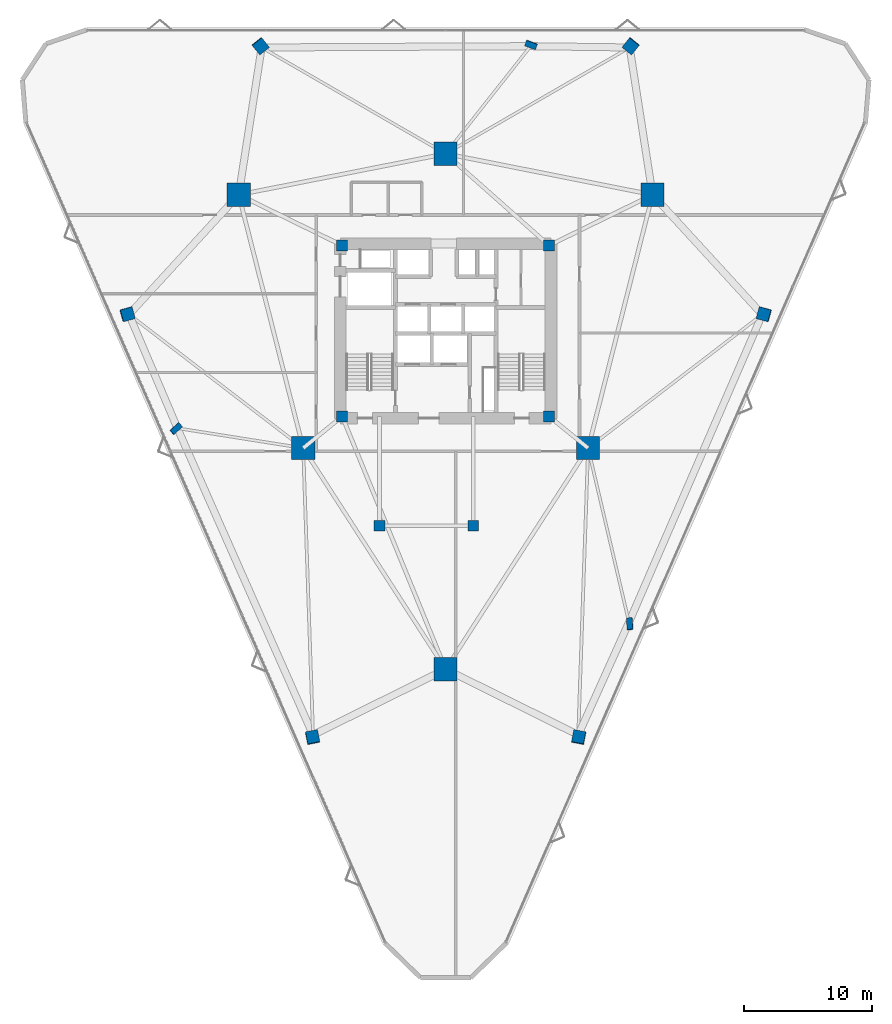
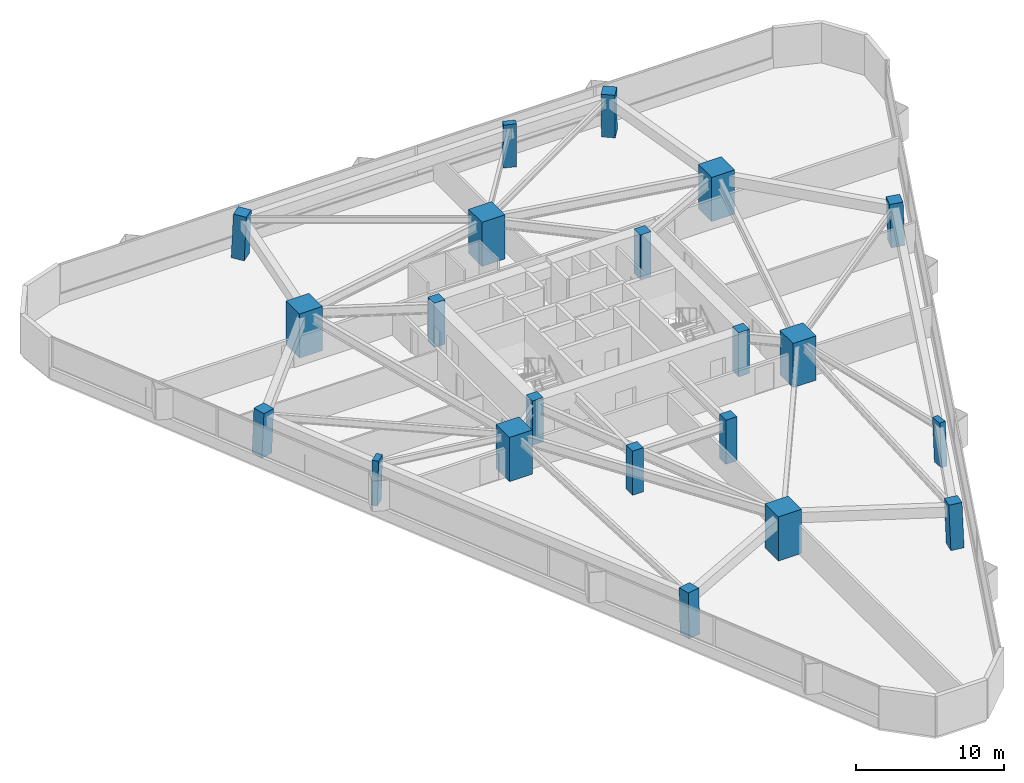
# One storey, part 1 of 20: 21 columns.
"""IFC4 building model written with IfcOpenShell, lengths in metres."""

from ifc_helpers import new_model, si_unit, direction, frame, origin, origin_2d, place, context, subcontext, project, spatial, rectangle, extrude, material, material_profile, profile_set, type_object, element, save


model = new_model("IFC4")

# Units and contexts
model_context = context("Model", 3, precision=1e-05, world=origin(), true_north=direction((0.0, 1.0)))
body_context = subcontext(model_context, "Body", "Model", "MODEL_VIEW")
ifc_project = project(units=[si_unit("LENGTHUNIT", "METRE"), si_unit("AREAUNIT", "SQUARE_METRE"), si_unit("VOLUMEUNIT", "CUBIC_METRE"), si_unit("PLANEANGLEUNIT", "RADIAN"), si_unit("MASSUNIT", "GRAM", prefix="KILO")], contexts=[model_context])

# Site, building, storey
site_placement = place(None, origin())
site = spatial("IfcSite", under=ifc_project, at=site_placement, CompositionType="ELEMENT")
building_placement = place(site_placement, origin())
building = spatial("IfcBuilding", under=site, at=building_placement, Name="Talyreon Biosciences Tower", CompositionType="ELEMENT")
storey_placement = place(building_placement, frame((0.0, 0.0, 62.949951171875)))
storey = spatial("IfcBuildingStorey", under=building, at=storey_placement, Name="L16", CompositionType="ELEMENT", Elevation=62.949951171875)

# Columns
ifc_material_1 = material(Name="Precast concrete C45/55", Category="concrete")
ifc_material_profile_1 = material_profile(ifc_material_1, rectangle(XDim=0.89990234375, YDim=0.449951171875, at=origin_2d()), Name="RC 900x450")
ifc_profile_set_1 = profile_set([ifc_material_profile_1], Name="Precast concrete C45/55")
column_type_1 = type_object("IfcColumnType", Name="FacadePilaster_900x450", PredefinedType="PILASTER", material=ifc_profile_set_1)
column_1_placement = place(storey_placement, frame((80.338134765625, 45.18701171875, 0.0029296875), z_axis=(-0.019612054336, 0.038220078587, 0.999076870375), x_axis=(0.061149177551, -0.997352496815, 0.039354481087)))
element("IfcColumn", 1, at=column_1_placement, inside=storey, type_object=column_type_1, Name="L16 Facade Pilaster PL-SE", PredefinedType="PILASTER", context=body_context, shape_type="SweptSolid", body=[
    extrude(rectangle(XDim=0.89990234375, YDim=0.449951171875, at=origin_2d()), origin(), (0.0, 0.0, 1.0), 3.6474609375),
])
column_2_placement = place(storey_placement, frame((72.654541015625, 90.281494140625, 0.0029296875), z_axis=(-0.012453496874, -0.033544096418, 0.99935964698), x_axis=(-0.937477612418, 0.348045580658, 0.0)))
element("IfcColumn", 2, at=column_2_placement, inside=storey, type_object=column_type_1, Name="L16 Facade Pilaster PL-N", PredefinedType="PILASTER", context=body_context, shape_type="SweptSolid", body=[
    extrude(rectangle(XDim=0.89990234375, YDim=0.449951171875, at=origin_2d()), origin(), (0.0, 0.0, 1.0), 3.646484375),
])
column_3_placement = place(storey_placement, frame((45.00732421875, 60.392333984375, 0.0029296875), z_axis=(0.032073367297, 0.010512565064, 0.999430230224), x_axis=(0.745173140428, 0.666153806561, -0.030920814813)))
element("IfcColumn", 3, at=column_3_placement, inside=storey, type_object=column_type_1, Name="L16 Facade Pilaster PL-SW", PredefinedType="PILASTER", context=body_context, shape_type="SweptSolid", body=[
    extrude(rectangle(XDim=0.89990234375, YDim=0.449951171875, at=origin_2d()), origin(), (0.0, 0.0, 1.0), 3.646240234375),
])
ifc_material_2 = material(Name="Concrete C60/75", Category="concrete")
ifc_material_profile_2 = material_profile(ifc_material_2, rectangle(XDim=1.800048828125, YDim=1.800048828125, at=origin_2d()), Name="RC 1800x1800")
ifc_profile_set_2 = profile_set([ifc_material_profile_2], Name="Concrete C60/75")
column_type_2 = type_object("IfcColumnType", Name="MegaColumn_1800", PredefinedType="COLUMN", material=ifc_profile_set_2)
for number, where, z_axis, x_axis, name in (
    (4, (66.0, 41.6669921875, 0.0), (0.0, 0.0, 1.0), (1.0, 0.0, 0.0), "L16 Composite Mega-Column MC1"),
    (5, (82.102294921875, 78.5986328125, 0.0), (0.0, 0.0, 1.0), (1.0, 0.0, 0.0), "L16 Composite Mega-Column MC2"),
    (6, (49.897705078125, 78.5986328125, 0.0), (0.0, 0.0, 1.0), (1.0, 0.0, 0.0), "L16 Composite Mega-Column MC3"),
    (7, (77.086181640625, 58.88037109375, 0.0), (0.0, 0.0, 1.0), (1.0, 0.0, 0.0), "L16 Composite Mega-Column MC4"),
    (8, (66.0, 81.788818359375, 0.0), (0.0, 0.0, 1.0), (1.0, 0.0, 0.0), "L16 Composite Mega-Column MC5"),
    (9, (54.913818359375, 58.88037109375, 0.0), (0.0, 0.0, 1.0), (1.0, 0.0, 0.0), "L16 Composite Mega-Column MC6"),
):
    element("IfcColumn", number, at=place(storey_placement, frame(where, z_axis=z_axis, x_axis=x_axis)), inside=storey, type_object=column_type_2, Name=name, PredefinedType="COLUMN", context=body_context, shape_type="SweptSolid", body=[
        extrude(rectangle(XDim=1.800048828125, YDim=1.800048828125, at=origin_2d()), origin(), (0.0, 0.0, 1.0), 3.650146484375),
    ])
ifc_material_profile_3 = material_profile(ifc_material_2, rectangle(XDim=0.85009765625, YDim=0.85009765625, at=origin_2d()), Name="RC 850x850")
ifc_profile_set_3 = profile_set([ifc_material_profile_3], Name="Concrete C60/75")
column_type_3 = type_object("IfcColumnType", Name="PerimeterColumn_850", PredefinedType="COLUMN", material=ifc_profile_set_3)
for number, where, z_axis, x_axis, name in (
    (10, (57.949951171875, 61.35009765625, 0.0), (0.0, 0.0, 1.0), (1.0, 0.0, 0.0), "L16 Core Column CC1"),
    (11, (74.050048828125, 61.35009765625, 0.0), (0.0, 0.0, 1.0), (1.0, 0.0, 0.0), "L16 Core Column CC2"),
    (12, (74.050048828125, 74.64990234375, 0.0), (0.0, 0.0, 1.0), (1.0, 0.0, 0.0), "L16 Core Column CC3"),
    (13, (57.949951171875, 74.64990234375, 0.0), (0.0, 0.0, 1.0), (1.0, 0.0, 0.0), "L16 Core Column CC4"),
    (14, (60.85009765625, 52.840087890625, 0.0), (0.0, 0.0, 1.0), (1.0, 0.0, 0.0), "L16 Core Column CSW"),
    (15, (68.14990234375, 52.840087890625, 0.0), (0.0, 0.0, 1.0), (1.0, 0.0, 0.0), "L16 Core Column CSE"),
):
    element("IfcColumn", number, at=place(storey_placement, frame(where, z_axis=z_axis, x_axis=x_axis)), inside=storey, type_object=column_type_3, Name=name, PredefinedType="COLUMN", context=body_context, shape_type="SweptSolid", body=[
        extrude(rectangle(XDim=0.85009765625, YDim=0.85009765625, at=origin_2d()), origin(), (0.0, 0.0, 1.0), 3.650146484375),
    ])
ifc_material_profile_4 = material_profile(ifc_material_2, rectangle(XDim=0.949951171875, YDim=0.949951171875, at=origin_2d()), Name="RC 950x950")
ifc_profile_set_4 = profile_set([ifc_material_profile_4], Name="Concrete C60/75")
column_type_4 = type_object("IfcColumnType", Name="PerimeterColumn_950", PredefinedType="COLUMN", material=ifc_profile_set_4)
column_4_placement = place(storey_placement, frame((76.36474609375, 36.357177734375, 0.0029296875), z_axis=(-0.012375141264, 0.054450621561, 0.998439775695), x_axis=(-0.188242108659, -0.980789521665, 0.05115488949)))
element("IfcColumn", 16, at=column_4_placement, inside=storey, type_object=column_type_4, Name="L16 Tapering Perimeter Column PC-SE1", PredefinedType="COLUMN", context=body_context, shape_type="SweptSolid", body=[
    extrude(rectangle(XDim=0.949951171875, YDim=0.949951171875, at=origin_2d()), origin(), (0.0, 0.0, 1.0), 3.649658203125),
])
column_5_placement = place(storey_placement, frame((90.78271484375, 69.30224609375, 0.0029296875), z_axis=(-0.039296334646, -0.005690269923, 0.99921139851), x_axis=(0.963396139942, -0.265602554763, 0.036375272477)))
element("IfcColumn", 17, at=column_5_placement, inside=storey, type_object=column_type_4, Name="L16 Tapering Perimeter Column PC-SE2", PredefinedType="COLUMN", context=body_context, shape_type="SweptSolid", body=[
    extrude(rectangle(XDim=0.949951171875, YDim=0.949951171875, at=origin_2d()), origin(), (0.0, 0.0, 1.0), 3.64697265625),
])
for number, where, z_axis, x_axis, name in (
    (18, (80.41796875, 90.181640625, 0.0029296875), (-0.026841076243, -0.033534611465, 0.999077067328), (-0.780716755404, 0.624885067698, 0.0), "L16 Tapering Perimeter Column PC-N1"),
    (19, (51.58203125, 90.181640625, 0.0029296875), (0.026841076243, -0.033534611465, 0.999077067328), (-0.780716755404, -0.624885067698, 0.0), "L16 Tapering Perimeter Column PC-N2"),
):
    element("IfcColumn", number, at=place(storey_placement, frame(where, z_axis=z_axis, x_axis=x_axis)), inside=storey, type_object=column_type_4, Name=name, PredefinedType="COLUMN", context=body_context, shape_type="SweptSolid", body=[
        extrude(rectangle(XDim=0.949951171875, YDim=0.949951171875, at=origin_2d()), origin(), (0.0, 0.0, 1.0), 3.6474609375),
    ])
column_6_placement = place(storey_placement, frame((41.21728515625, 69.30224609375, 0.0029296875), z_axis=(0.039296334646, -0.005690269923, 0.99921139851), x_axis=(0.963396139942, 0.265602554763, -0.036375272477)))
element("IfcColumn", 20, at=column_6_placement, inside=storey, type_object=column_type_4, Name="L16 Tapering Perimeter Column PC-SW1", PredefinedType="COLUMN", context=body_context, shape_type="SweptSolid", body=[
    extrude(rectangle(XDim=0.949951171875, YDim=0.949951171875, at=origin_2d()), origin(), (0.0, 0.0, 1.0), 3.64697265625),
])
column_7_placement = place(storey_placement, frame((55.63525390625, 36.357177734375, 0.0029296875), z_axis=(0.012375141264, 0.054450621561, 0.998439775695), x_axis=(-0.188242108659, 0.980789521665, -0.05115488949)))
element("IfcColumn", 21, at=column_7_placement, inside=storey, type_object=column_type_4, Name="L16 Tapering Perimeter Column PC-SW2", PredefinedType="COLUMN", context=body_context, shape_type="SweptSolid", body=[
    extrude(rectangle(XDim=0.949951171875, YDim=0.949951171875, at=origin_2d()), origin(), (0.0, 0.0, 1.0), 3.649658203125),
])

save(model, "model.ifc")
